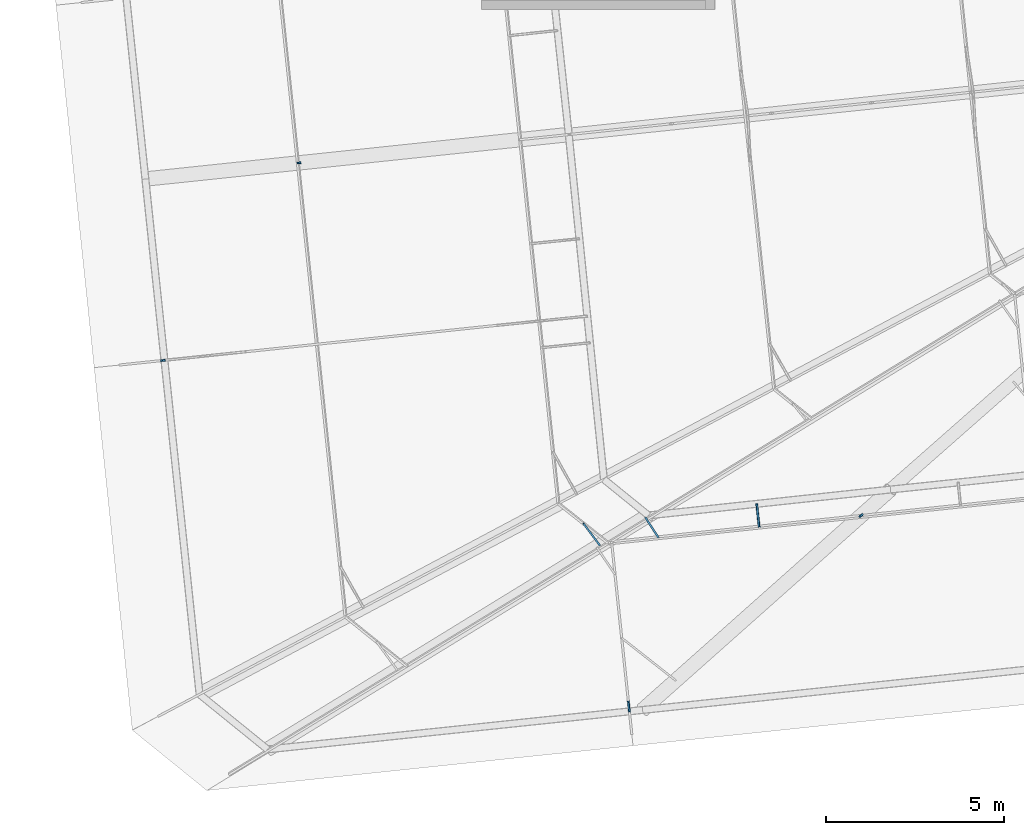
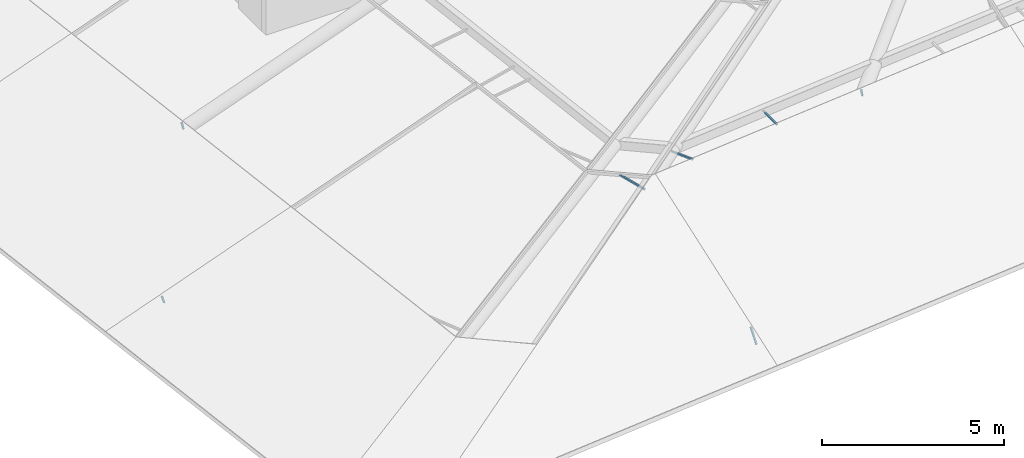
# One storey, part 9 of 20: 7 discrete accessories.
"""IFC4 building model written with IfcOpenShell, lengths in metres."""

from ifc_helpers import new_model, si_unit, direction, frame, origin, origin_2d, place, context, subcontext, project, spatial, rectangle, extrude, material, material_profile, profile_set, type_object, element, save


model = new_model("IFC4")

# Units and contexts
model_context = context("Model", 3, precision=1e-05, world=origin(), true_north=direction((0.0, 1.0)))
body_context = subcontext(model_context, "Body", "Model", "MODEL_VIEW")
ifc_project = project(units=[si_unit("LENGTHUNIT", "METRE"), si_unit("AREAUNIT", "SQUARE_METRE"), si_unit("VOLUMEUNIT", "CUBIC_METRE"), si_unit("PLANEANGLEUNIT", "RADIAN"), si_unit("MASSUNIT", "GRAM", prefix="KILO")], contexts=[model_context])

# Site, building, storey
site_placement = place(None, origin())
site = spatial("IfcSite", under=ifc_project, at=site_placement, CompositionType="ELEMENT")
building_placement = place(site_placement, origin())
building = spatial("IfcBuilding", under=site, at=building_placement, Name="Hakoniwa Tower and Hamabe Station Hall", CompositionType="ELEMENT")
storey_placement = place(building_placement, frame((0.0, 0.0, 285.0)))
storey = spatial("IfcBuildingStorey", under=building, at=storey_placement, Name="Roof", CompositionType="ELEMENT", Elevation=285.0)

# Discrete accessories
ifc_material = material(Name="Stainless steel SUS304", Category="steel")
ifc_material_profile = material_profile(ifc_material, rectangle(XDim=0.050048828125, YDim=0.050048828125, at=origin_2d()), Name="CW-4 GLAZING BRACKET 50X50")
ifc_profile_set = profile_set([ifc_material_profile], Name="Stainless steel SUS304")
discrete_accessory_type = type_object("IfcDiscreteAccessoryType", Name="CW-4 GLAZING BRACKET 50X50", PredefinedType="BRACKET", material=ifc_profile_set)
discrete_accessory_1_placement = place(storey_placement, frame((-22.31640625, -15.98779296875, 0.595458984375), z_axis=(0.054691924927, -0.51887210828, -0.853100538388), x_axis=(0.994490715338, 0.104824697022, 0.0)))
element("IfcDiscreteAccessory", 1, at=discrete_accessory_1_placement, inside=storey, type_object=discrete_accessory_type, Name="Glazing bracket", PredefinedType="BRACKET", context=body_context, shape_type="SweptSolid", body=[
    extrude(rectangle(XDim=0.050048828125, YDim=0.050048828125, at=origin_2d()), origin(), (0.0, 0.0, 1.0), 0.522216796875),
])
discrete_accessory_2_placement = place(storey_placement, frame((-31.6201171875, -0.823486328125, 1.511962890625), z_axis=(0.245829259057, 0.025826420212, -0.968969025), x_axis=(-0.10448334315, 0.994526636649, 0.0)))
element("IfcDiscreteAccessory", 2, at=discrete_accessory_2_placement, inside=storey, type_object=discrete_accessory_type, Name="Glazing bracket", PredefinedType="BRACKET", context=body_context, shape_type="SweptSolid", body=[
    extrude(rectangle(XDim=0.050048828125, YDim=0.050048828125, at=origin_2d()), origin(), (0.0, 0.0, 1.0), 0.255126953125),
])
discrete_accessory_3_placement = place(storey_placement, frame((-23.58642578125, -10.96484375, 3.104248046875), z_axis=(0.560593018755, -0.748341574458, -0.354570663282), x_axis=(0.800340307434, 0.599545988475, 0.0)))
element("IfcDiscreteAccessory", 3, at=discrete_accessory_3_placement, inside=storey, type_object=discrete_accessory_type, Name="Glazing bracket", PredefinedType="BRACKET", context=body_context, shape_type="SweptSolid", body=[
    extrude(rectangle(XDim=0.050048828125, YDim=0.050048828125, at=origin_2d()), origin(), (0.0, 0.0, 1.0), 0.828369140625),
])
discrete_accessory_4_placement = place(storey_placement, frame((-35.459228515625, -6.38525390625, 0.392333984375), z_axis=(0.322037839955, 0.034299888279, -0.946105251703), x_axis=(-0.105909841762, 0.994375736539, 0.0)))
element("IfcDiscreteAccessory", 4, at=discrete_accessory_4_placement, inside=storey, type_object=discrete_accessory_type, Name="Glazing bracket", PredefinedType="BRACKET", context=body_context, shape_type="SweptSolid", body=[
    extrude(rectangle(XDim=0.050048828125, YDim=0.050048828125, at=origin_2d()), origin(), (0.0, 0.0, 1.0), 0.25634765625),
])
discrete_accessory_5_placement = place(storey_placement, frame((-21.4697265625, -11.370361328125, 3.106689453125), z_axis=(-0.54106723165, 0.835094556217, 0.09931431423), x_axis=(-0.839243682584, -0.543755497667, 0.0)))
element("IfcDiscreteAccessory", 5, at=discrete_accessory_5_placement, inside=storey, type_object=discrete_accessory_type, Name="Glazing bracket", PredefinedType="BRACKET", context=body_context, shape_type="SweptSolid", body=[
    extrude(rectangle(XDim=0.050048828125, YDim=0.050048828125, at=origin_2d()), origin(), (0.0, 0.0, 1.0), 0.685791015625),
])
discrete_accessory_6_placement = place(storey_placement, frame((-18.635009765625, -11.072509765625, 3.106689453125), z_axis=(-0.10535095562, 0.984499174117, 0.140223223159), x_axis=(-0.994323170754, -0.106402218496, 0.0)))
element("IfcDiscreteAccessory", 6, at=discrete_accessory_6_placement, inside=storey, type_object=discrete_accessory_type, Name="Glazing bracket", PredefinedType="BRACKET", context=body_context, shape_type="SweptSolid", body=[
    extrude(rectangle(XDim=0.050048828125, YDim=0.050048828125, at=origin_2d()), origin(), (0.0, 0.0, 1.0), 0.6650390625),
])
discrete_accessory_7_placement = place(storey_placement, frame((-15.800537109375, -10.774658203125, 3.106689453125), z_axis=(0.245036627605, 0.193114368224, -0.950086254988), x_axis=(-0.618981400091, 0.785405644455, 0.0)))
element("IfcDiscreteAccessory", 7, at=discrete_accessory_7_placement, inside=storey, type_object=discrete_accessory_type, Name="Glazing bracket", PredefinedType="BRACKET", context=body_context, shape_type="SweptSolid", body=[
    extrude(rectangle(XDim=0.050048828125, YDim=0.050048828125, at=origin_2d()), origin(), (0.0, 0.0, 1.0), 0.26806640625),
])

save(model, "model.ifc")
